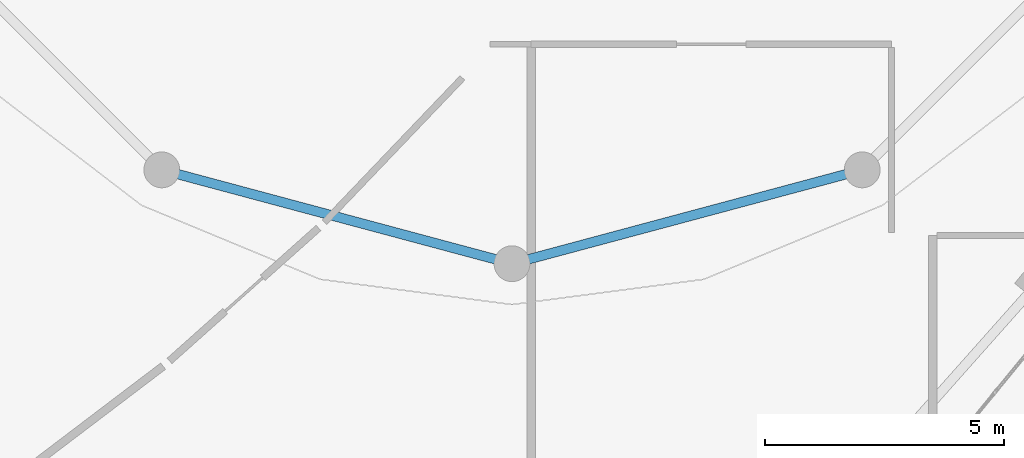
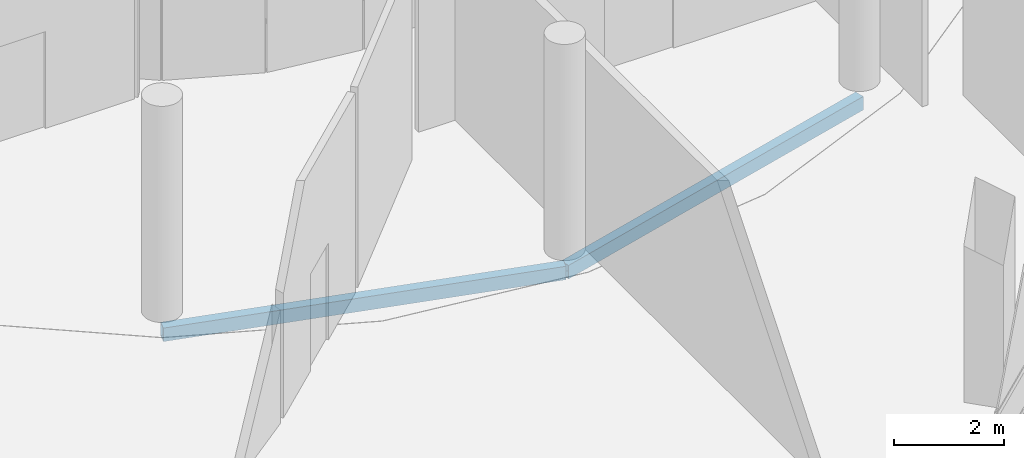
# One storey, part 51 of 168: 2 beams.
"""IFC4 building model written with IfcOpenShell, lengths in metres."""

import ifcopenshell
import ifcopenshell.guid

model = None  # the IFC model being written
_history = None  # IfcOwnerHistory: only IFC2X3 demands one
_inside = {}  # id of a spatial element -> (the spatial element, [elements in it])
_under = {}  # id of a project, library or spatial element -> (it, [spatial elements below it])
_declared = {}  # id of a project -> (the project, [libraries it declares])
_typed = {}  # id of a type object -> (the type object, [elements of that type])
_made_of = {}  # id of a material, layer set ... -> (it, [elements and type objects made of it])


def new_model(schema):
    """Start an empty IFC model of exactly this schema.

    Asked for "IFC4X3", IfcOpenShell would pick the latest addendum, in which some entities
    have other attributes; the version numbers below select the first issue.
    IFC2X3 requires an IfcOwnerHistory on every rooted entity: one is made here for all.
    """
    global model, _history
    if schema == "IFC4X3":
        model = ifcopenshell.file(schema_version=(4, 3, 0, 0))
    else:
        model = ifcopenshell.file(schema=schema)
    _inside.clear()
    _under.clear()
    _declared.clear()
    _typed.clear()
    _made_of.clear()
    _history = None
    if model.schema == "IFC2X3":
        org = make("IfcOrganization", Name="unknown")
        user = make(
            "IfcPersonAndOrganization",
            ThePerson=make("IfcPerson", FamilyName="unknown"),
            TheOrganization=org,
        )
        app = make(
            "IfcApplication",
            ApplicationDeveloper=org,
            Version="unknown",
            ApplicationFullName="unknown",
            ApplicationIdentifier="unknown",
        )
        _history = make(
            "IfcOwnerHistory",
            OwningUser=user,
            OwningApplication=app,
            ChangeAction="ADDED",
            CreationDate=0,
        )
    return model


def make(cls, **values):
    """One entity of the class cls with the attributes given. An attribute that is None is left unset."""
    return model.create_entity(
        cls, **{name: value for name, value in values.items() if value is not None}
    )


def rooted(cls, **values):
    """An entity with a GlobalId (a new one), such as an element, a storey or a relation."""
    return make(cls, GlobalId=ifcopenshell.guid.new(), OwnerHistory=_history, **values)


def si_unit(unit_type, name, prefix=None):
    """IfcSIUnit, for example si_unit("LENGTHUNIT", "METRE", prefix="MILLI")."""
    return make("IfcSIUnit", UnitType=unit_type, Prefix=prefix, Name=name)


def assignment(units):
    """IfcUnitAssignment: the units of a project."""
    return None if units is None else make("IfcUnitAssignment", Units=units)


def point(xyz):
    """IfcCartesianPoint."""
    return None if xyz is None else make("IfcCartesianPoint", Coordinates=xyz)


def direction(xyz):
    """IfcDirection."""
    return None if xyz is None else make("IfcDirection", DirectionRatios=xyz)


def frame(location, z_axis=None, x_axis=None):
    """IfcAxis2Placement3D, a coordinate frame: its origin and axes. An axis left out is left unset."""
    return make(
        "IfcAxis2Placement3D",
        Location=point(location),
        Axis=direction(z_axis),
        RefDirection=direction(x_axis),
    )


def frame_2d(location, x_axis=None):
    """IfcAxis2Placement2D, a coordinate frame in the plane: its origin and x axis."""
    return make(
        "IfcAxis2Placement2D", Location=point(location), RefDirection=direction(x_axis)
    )


def origin():
    """The frame at (0, 0, 0) with its axes left unset."""
    return frame((0.0, 0.0, 0.0))


def origin_2d():
    """The frame at (0, 0) in the plane with its x axis left unset."""
    return frame_2d((0.0, 0.0))


def place(relative_to, where):
    """IfcLocalPlacement: puts the frame where relative to a parent placement (None: the world)."""
    return make(
        "IfcLocalPlacement", PlacementRelTo=relative_to, RelativePlacement=where
    )


def context(
    kind, dimensions, precision=None, world=None, true_north=None, identifier=None
):
    """IfcGeometricRepresentationContext, for example the 3D "Model" context."""
    return make(
        "IfcGeometricRepresentationContext",
        ContextIdentifier=identifier,
        ContextType=kind,
        CoordinateSpaceDimension=dimensions,
        Precision=precision,
        WorldCoordinateSystem=world,
        TrueNorth=true_north,
    )


def subcontext(parent, identifier, kind, view, scale=None):
    """IfcGeometricRepresentationSubContext, for example "Body" below "Model"."""
    return make(
        "IfcGeometricRepresentationSubContext",
        ContextIdentifier=identifier,
        ContextType=kind,
        ParentContext=parent,
        TargetScale=scale,
        TargetView=view,
    )


def project(units=None, contexts=None):
    """IfcProject with its units and contexts."""
    return rooted(
        "IfcProject",
        Name="project",
        RepresentationContexts=contexts,
        UnitsInContext=assignment(units),
    )


def spatial(cls, under=None, at=None, **own):
    """A site, building, storey or space (cls), placed at a placement, below another one or the project."""
    s = rooted(cls, ObjectPlacement=at, **own)
    if under is not None:
        _under.setdefault(under.id(), (under, []))[1].append(s)
    return s


def profile(cls, at=None, kind="AREA", **sizes):
    """A parametric profile (cls). Its sizes go by their IFC names, for example OverallWidth=200.0."""
    return make(cls, ProfileType=kind, Position=at, **sizes)


def hollow_rectangle(**sizes):
    """IfcRectangleHollowProfileDef."""
    return profile("IfcRectangleHollowProfileDef", **sizes)


def extrude(swept, where, along, depth):
    """IfcExtrudedAreaSolid: the profile swept, set in the frame where, extruded along a direction by depth."""
    return make(
        "IfcExtrudedAreaSolid",
        SweptArea=swept,
        Position=where,
        ExtrudedDirection=direction(along),
        Depth=depth,
    )


def shape(context_of_items, identifier, shape_type, items):
    """IfcShapeRepresentation: the items that make up one representation, for example the "Body"."""
    return make(
        "IfcShapeRepresentation",
        ContextOfItems=context_of_items,
        RepresentationIdentifier=identifier,
        RepresentationType=shape_type,
        Items=items,
    )


def material(Name=None, Category=None):
    """IfcMaterial."""
    return make("IfcMaterial", Name=Name, Category=Category)


def material_profile(
    of_material, cross_section, Name=None, Category=None, Priority=None
):
    """IfcMaterialProfile: a cross section and its material."""
    return make(
        "IfcMaterialProfile",
        Name=Name,
        Material=of_material,
        Profile=cross_section,
        Priority=Priority,
        Category=Category,
    )


def profile_set(profiles, Name=None, composite=None):
    """IfcMaterialProfileSet."""
    return make(
        "IfcMaterialProfileSet",
        Name=Name,
        MaterialProfiles=profiles,
        CompositeProfile=composite,
    )


def made_of(thing, what):
    """Note that an element or type object is made of a material, layer set ...; save() writes the relation."""
    if what is not None:
        _made_of.setdefault(what.id(), (what, []))[1].append(thing)
    return thing


def type_object(cls, material=None, **own):
    """A type object (cls), such as IfcWallType, which elements share."""
    return made_of(rooted(cls, **own), material)


def element(
    cls,
    number,
    at=None,
    inside=None,
    cuts=None,
    type_object=None,
    material=None,
    context=None,
    identifier="Body",
    shape_type=None,
    held_by="IfcProductDefinitionShape",
    body=None,
    shapes=None,
    **own,
):
    """One element of the class cls, such as IfcWall. Its Tag is "e" and its number.

    at: its placement. inside: the storey or other place that contains it. cuts: it is an
    opening in that element (IfcRelVoidsElement). A single representation is given by context,
    identifier, shape_type and body (its items); several are given by shapes. held_by: the class
    of the entity that holds the representations. save() writes the other relations.
    """
    e = rooted(cls, Tag="e%d" % number, ObjectPlacement=at, **own)
    if body is not None:
        shapes = [shape(context, identifier, shape_type, body)]
    if shapes is not None:
        e.Representation = make(held_by, Representations=shapes)
    if inside is not None:
        _inside.setdefault(inside.id(), (inside, []))[1].append(e)
    if cuts is not None:
        rooted(
            "IfcRelVoidsElement", RelatingBuildingElement=cuts, RelatedOpeningElement=e
        )
    if type_object is not None:
        _typed.setdefault(type_object.id(), (type_object, []))[1].append(e)
    return made_of(e, material)


def aggregate(whole, parts):
    """IfcRelAggregates: a whole, such as a stair, and the parts it consists of."""
    return rooted("IfcRelAggregates", RelatingObject=whole, RelatedObjects=parts)


def save(model, path):
    """Write the relations noted so far, then the file.

    IfcRelAggregates (storeys below a building ...), IfcRelContainedInSpatialStructure (elements
    in a storey), IfcRelDefinesByType, IfcRelAssociatesMaterial and IfcRelDeclares: one each for
    every whole, place, type object, material and project.
    """
    for whole, parts in _under.values():
        aggregate(whole, parts)
    for where, things in _inside.values():
        rooted(
            "IfcRelContainedInSpatialStructure",
            RelatedElements=things,
            RelatingStructure=where,
        )
    for kind, things in _typed.values():
        rooted("IfcRelDefinesByType", RelatedObjects=things, RelatingType=kind)
    for what, things in _made_of.values():
        rooted("IfcRelAssociatesMaterial", RelatedObjects=things, RelatingMaterial=what)
    for by, libraries in _declared.values():
        rooted("IfcRelDeclares", RelatingContext=by, RelatedDefinitions=libraries)
    model.write(path)


model = new_model("IFC4")

# Units and contexts
model_context = context("Model", 3, precision=1e-05, world=origin(), true_north=direction((0.0, 1.0)))
body_context = subcontext(model_context, "Body", "Model", "MODEL_VIEW")
ifc_project = project(units=[si_unit("LENGTHUNIT", "METRE"), si_unit("AREAUNIT", "SQUARE_METRE"), si_unit("VOLUMEUNIT", "CUBIC_METRE"), si_unit("PLANEANGLEUNIT", "RADIAN"), si_unit("MASSUNIT", "GRAM", prefix="KILO")], contexts=[model_context])

# Site, building, storey
site_placement = place(None, origin())
site = spatial("IfcSite", under=ifc_project, at=site_placement, CompositionType="ELEMENT")
building_placement = place(site_placement, origin())
building = spatial("IfcBuilding", under=site, at=building_placement, Name="Selatvlak General Hospital", CompositionType="ELEMENT")
storey_placement = place(building_placement, frame((0.0, 0.0, 5.39990234375)))
storey = spatial("IfcBuildingStorey", under=building, at=storey_placement, Name="L01", CompositionType="ELEMENT", Elevation=5.39990234375)

# Beams
ifc_material = material(Name="Steel S355", Category="steel")
ifc_material_profile = material_profile(ifc_material, hollow_rectangle(XDim=0.199951171875, YDim=0.300048828125, WallThickness=0.011962890625, at=origin_2d()), Name="RHS 300x200x12")
ifc_profile_set = profile_set([ifc_material_profile], Name="Steel S355")
beam_type = type_object("IfcBeamType", Name="BM-SP3", PredefinedType="SPANDREL", material=ifc_profile_set)
for number, where, z_axis, x_axis, name in (
    (1, (90.675048828125, 41.31298828125, -0.469970703125), (0.965920028052, -0.25884068345, 0.0), (0.25884068345, 0.965920028052, 0.0), "Beam BMR-L01-0707"),
    (2, (98.0, 39.35009765625, -0.469970703125), (0.965920028052, 0.25884068345, 0.0), (-0.25884068345, 0.965920028052, 0.0), "Beam BMR-L01-0708"),
):
    element("IfcBeam", number, at=place(storey_placement, frame(where, z_axis=z_axis, x_axis=x_axis)), inside=storey, type_object=beam_type, Name=name, PredefinedType="SPANDREL", context=body_context, shape_type="SweptSolid", body=[
        extrude(hollow_rectangle(XDim=0.199951171875, YDim=0.300048828125, WallThickness=0.011962890625, at=origin_2d()), origin(), (0.0, 0.0, 1.0), 7.58349609375),
    ])

save(model, "model.ifc")
